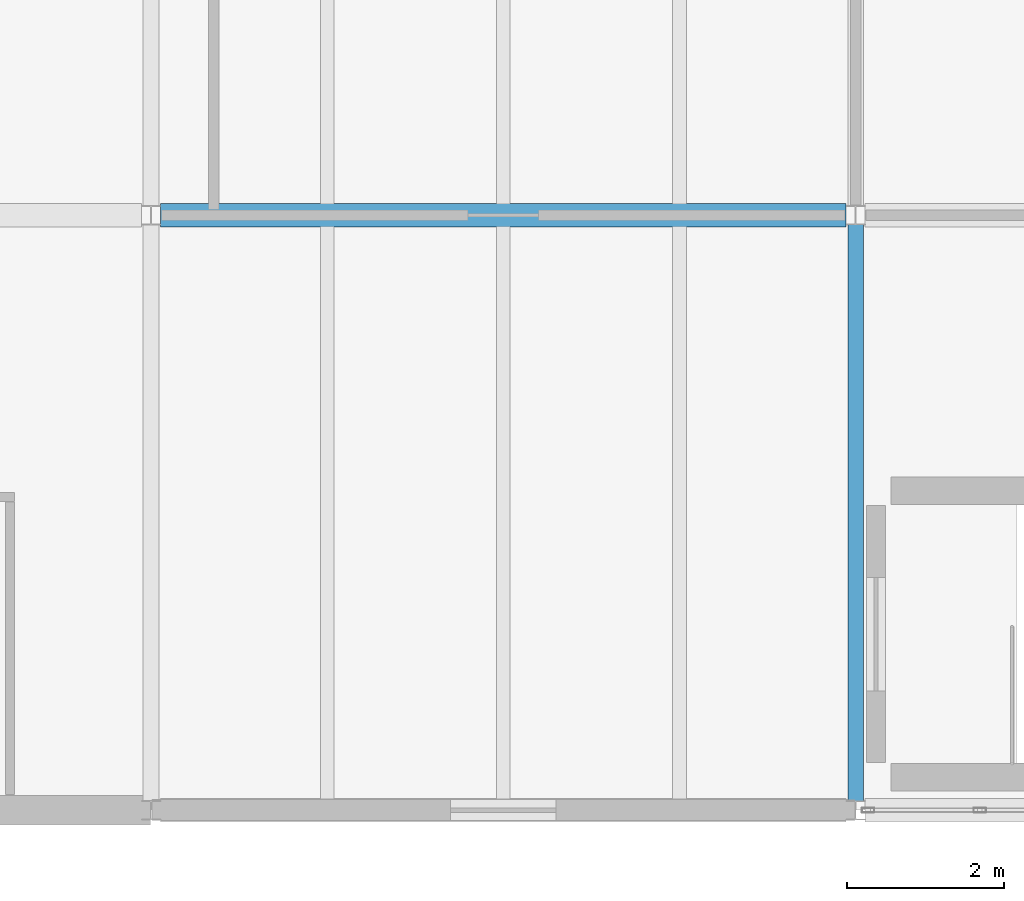
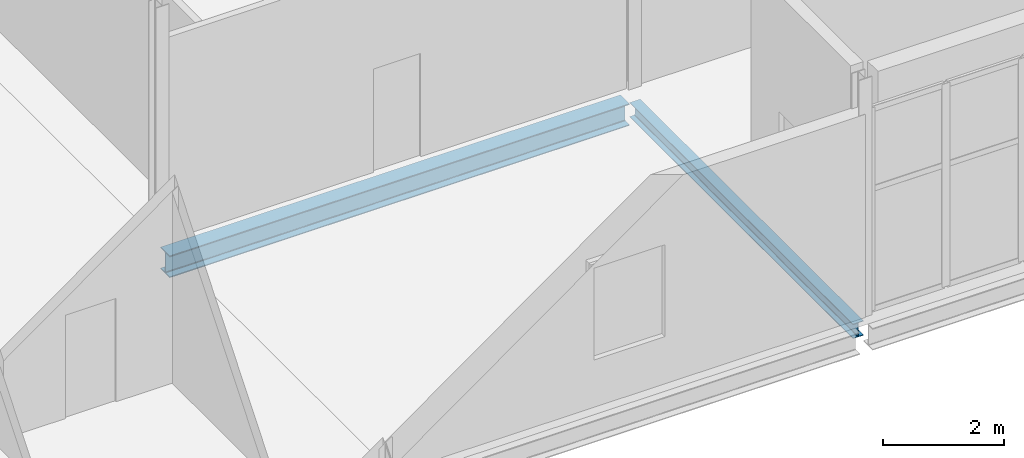
# One storey, part 6 of 14: 2 beams.
"""IFC4 building model written with IfcOpenShell, lengths in metres."""

from ifc_helpers import new_model, si_unit, direction, frame, origin, origin_2d, place, context, subcontext, project, spatial, i_section, extrude, material, material_profile, profile_set, type_object, element, save


model = new_model("IFC4")

# Units and contexts
model_context = context("Model", 3, precision=1e-05, world=origin(), true_north=direction((0.0, 1.0)))
body_context = subcontext(model_context, "Body", "Model", "MODEL_VIEW")
ifc_project = project(units=[si_unit("LENGTHUNIT", "METRE"), si_unit("AREAUNIT", "SQUARE_METRE"), si_unit("VOLUMEUNIT", "CUBIC_METRE"), si_unit("PLANEANGLEUNIT", "RADIAN"), si_unit("MASSUNIT", "GRAM", prefix="KILO")], contexts=[model_context])

# Site, building, storey
site_placement = place(None, origin())
site = spatial("IfcSite", under=ifc_project, at=site_placement, CompositionType="ELEMENT")
building_placement = place(site_placement, origin())
building = spatial("IfcBuilding", under=site, at=building_placement, Name="Shengluoqiao Park Theatre", CompositionType="ELEMENT")
storey_placement = place(building_placement, frame((0.0, 0.0, 23.800048828125)))
storey = spatial("IfcBuildingStorey", under=building, at=storey_placement, Name="L05", CompositionType="ELEMENT", Elevation=23.800048828125)

# Beams
ifc_material = material(Name="Steel Q355", Category="steel")
ifc_material_profile_1 = material_profile(ifc_material, i_section(OverallWidth=0.199951171875, OverallDepth=0.2939453125, WebThickness=0.008056640625, FlangeThickness=0.011962890625, FilletRadius=0.01611328125, at=origin_2d()), Name="HM 294x200x8x12")
ifc_profile_set_1 = profile_set([ifc_material_profile_1], Name="Steel Q355")
beam_type_1 = type_object("IfcBeamType", Name="STR-BM-G-HM294", PredefinedType="BEAM", material=ifc_profile_set_1)
beam_1_placement = place(storey_placement, frame((139.39990234375, 84.118896484375, -0.406982421875), z_axis=(0.0, 1.0, 0.0), x_axis=(-1.0, 0.0, 0.0)))
element("IfcBeam", 1, at=beam_1_placement, inside=storey, type_object=beam_type_1, Name="L05 Transverse Girder 01694", PredefinedType="BEAM", context=body_context, shape_type="SweptSolid", body=[
    extrude(i_section(OverallWidth=0.199951171875, OverallDepth=0.2939453125, WebThickness=0.008056640625, FlangeThickness=0.011962890625, FilletRadius=0.01611328125, at=origin_2d()), origin(), (0.0, 0.0, 1.0), 7.362060546875),
])
ifc_material_profile_2 = material_profile(ifc_material, i_section(OverallWidth=0.300048828125, OverallDepth=0.43994140625, WebThickness=0.010986328125, FlangeThickness=0.01806640625, FilletRadius=0.02001953125, at=origin_2d()), Name="HM 440x300x11x18")
ifc_profile_set_2 = profile_set([ifc_material_profile_2], Name="Steel Q355")
beam_type_2 = type_object("IfcBeamType", Name="STR-BM-G-HM440", PredefinedType="BEAM", material=ifc_profile_set_2)
beam_2_placement = place(storey_placement, frame((130.521484375, 91.60009765625, -0.47998046875), z_axis=(1.0, 0.0, 0.0), x_axis=(0.0, 1.0, 0.0)))
element("IfcBeam", 2, at=beam_2_placement, inside=storey, type_object=beam_type_2, Name="L05 Primary Girder 01686", PredefinedType="BEAM", context=body_context, shape_type="SweptSolid", body=[
    extrude(i_section(OverallWidth=0.300048828125, OverallDepth=0.43994140625, WebThickness=0.010986328125, FlangeThickness=0.01806640625, FilletRadius=0.02001953125, at=origin_2d()), origin(), (0.0, 0.0, 1.0), 8.757080078125),
])

save(model, "model.ifc")
